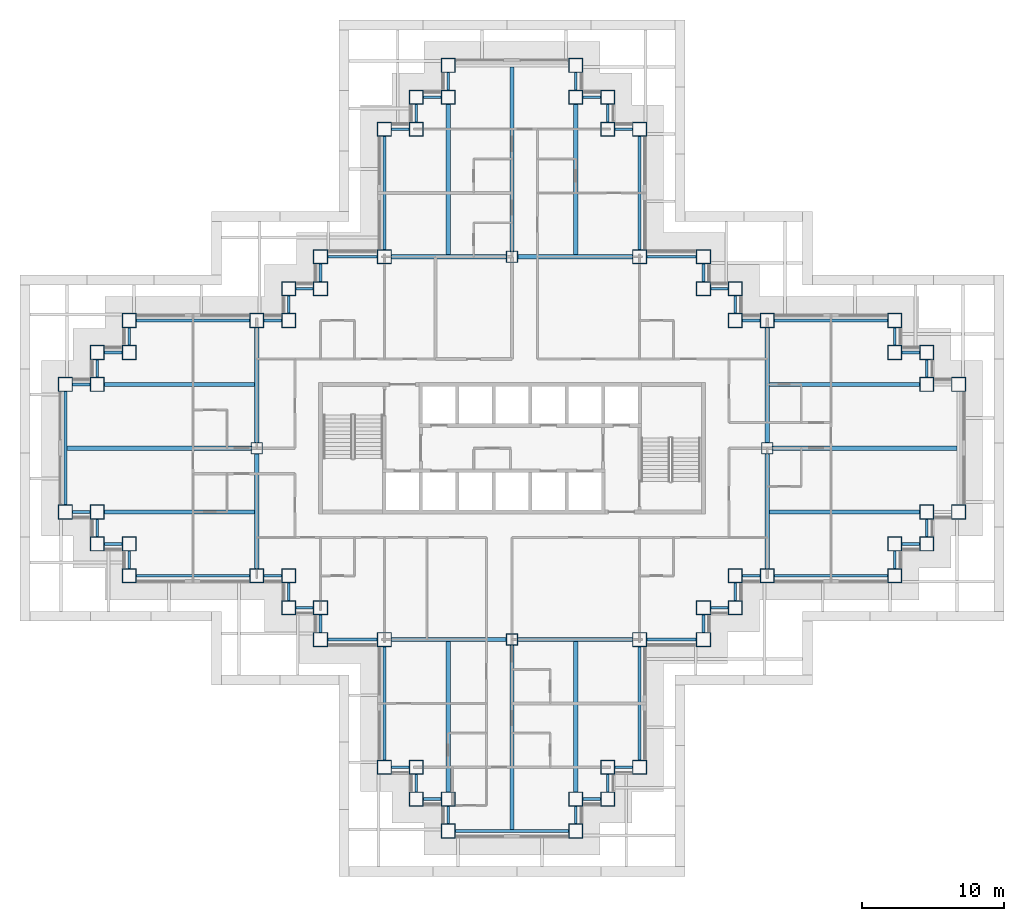
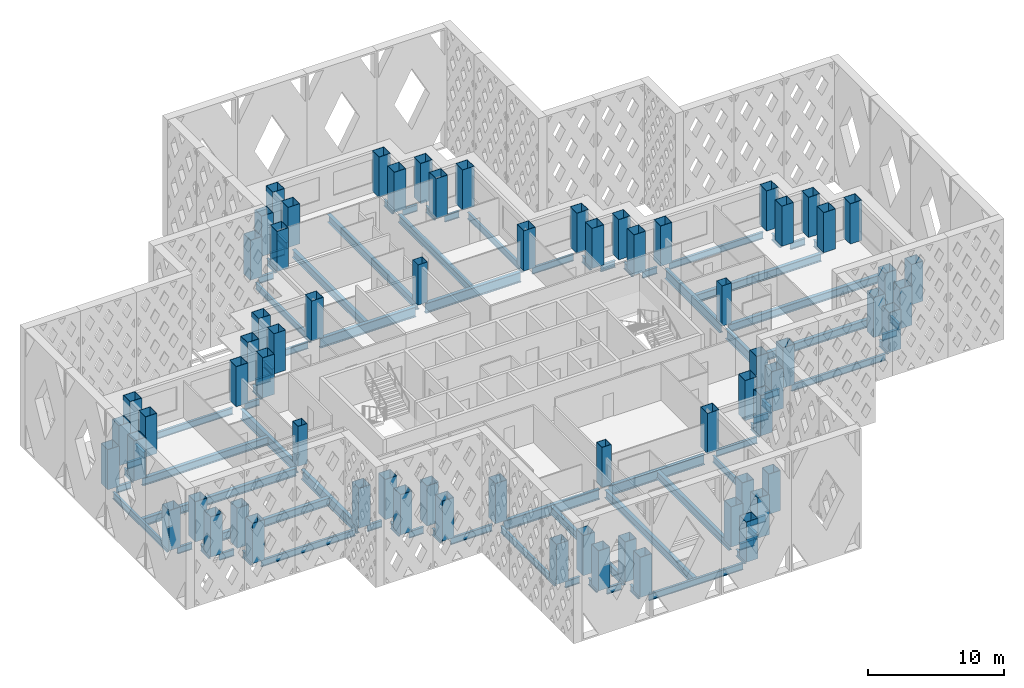
# One storey, part 1 of 19: 80 beams, 68 columns.
"""IFC4 building model written with IfcOpenShell, lengths in metres."""

from ifc_helpers import new_model, si_unit, direction, frame, origin, origin_2d, place, context, subcontext, project, spatial, hollow_rectangle, i_section, extrude, material, material_profile, profile_set, type_object, element, save


model = new_model("IFC4")

# Units and contexts
model_context = context("Model", 3, precision=1e-05, world=origin(), true_north=direction((0.0, 1.0)))
body_context = subcontext(model_context, "Body", "Model", "MODEL_VIEW")
ifc_project = project(units=[si_unit("LENGTHUNIT", "METRE"), si_unit("AREAUNIT", "SQUARE_METRE"), si_unit("VOLUMEUNIT", "CUBIC_METRE"), si_unit("PLANEANGLEUNIT", "RADIAN"), si_unit("MASSUNIT", "GRAM", prefix="KILO")], contexts=[model_context])

# Site, building, storey
site_placement = place(None, origin())
site = spatial("IfcSite", under=ifc_project, at=site_placement, CompositionType="ELEMENT")
building_placement = place(site_placement, origin())
building = spatial("IfcBuilding", under=site, at=building_placement, Name="Caravel Reach Hotel and Residences", CompositionType="ELEMENT")
storey_placement = place(building_placement, frame((0.0, 0.0, 63.60009765625)))
storey = spatial("IfcBuildingStorey", under=building, at=storey_placement, Name="L14", CompositionType="ELEMENT", Elevation=63.60009765625)

# Columns
ifc_material_1 = material(Name="Concrete-filled steel tube Q390B with Concrete C70 infill", Category="concrete")
ifc_material_profile_1 = material_profile(ifc_material_1, hollow_rectangle(XDim=1.0, YDim=1.0, WallThickness=0.031982421875, at=origin_2d()), Name="RHS 1000x1000x32")
ifc_profile_set_1 = profile_set([ifc_material_profile_1], Name="Concrete-filled steel tube Q390B with Concrete C70 infill")
column_type_1 = type_object("IfcColumnType", Name="CFT 1000x1000 Q390B C70", PredefinedType="COLUMN", material=ifc_profile_set_1)
for number, where, z_axis, x_axis, name in (
    (1, (22.5, 4.5, 0.0), (0.0, 0.0, 1.0), (1.0, 0.0, 0.0), "C2 column"),
    (2, (24.75, 4.5, 0.0), (0.0, 0.0, 1.0), (1.0, 0.0, 0.0), "C2 column"),
    (3, (24.75, 2.25, 0.0), (0.0, 0.0, 1.0), (1.0, 0.0, 0.0), "C2 column"),
    (4, (27.0, 2.25, 0.0), (0.0, 0.0, 1.0), (1.0, 0.0, 0.0), "C2 column"),
    (5, (27.0, 0.0, 0.0), (0.0, 0.0, 1.0), (1.0, 0.0, 0.0), "C2 column"),
    (6, (36.0, 0.0, 0.0), (0.0, 0.0, 1.0), (1.0, 0.0, 0.0), "C2 column"),
    (7, (36.0, 2.25, 0.0), (0.0, 0.0, 1.0), (1.0, 0.0, 0.0), "C2 column"),
    (8, (38.25, 2.25, 0.0), (0.0, 0.0, 1.0), (1.0, 0.0, 0.0), "C2 column"),
    (9, (38.25, 4.5, 0.0), (0.0, 0.0, 1.0), (1.0, 0.0, 0.0), "C2 column"),
    (10, (40.5, 4.5, 0.0), (0.0, 0.0, 1.0), (1.0, 0.0, 0.0), "C2 column"),
    (11, (40.5, 13.5, 0.0), (0.0, 0.0, 1.0), (1.0, 0.0, 0.0), "C2 column"),
    (12, (45.0, 13.5, 0.0), (0.0, 0.0, 1.0), (1.0, 0.0, 0.0), "C2 column"),
    (13, (45.0, 15.75, 0.0), (0.0, 0.0, 1.0), (1.0, 0.0, 0.0), "C2 column"),
    (14, (47.25, 15.75, 0.0), (0.0, 0.0, 1.0), (1.0, 0.0, 0.0), "C2 column"),
    (15, (47.25, 18.0, 0.0), (0.0, 0.0, 1.0), (1.0, 0.0, 0.0), "C2 column"),
    (16, (49.5, 18.0, 0.0), (0.0, 0.0, 1.0), (1.0, 0.0, 0.0), "C2 column"),
    (17, (58.5, 18.0, 0.0), (0.0, 0.0, 1.0), (1.0, 0.0, 0.0), "C2 column"),
    (18, (58.5, 20.25, 0.0), (0.0, 0.0, 1.0), (1.0, 0.0, 0.0), "C2 column"),
    (19, (60.75, 20.25, 0.0), (0.0, 0.0, 1.0), (1.0, 0.0, 0.0), "C2 column"),
    (20, (60.75, 22.5, 0.0), (0.0, 0.0, 1.0), (1.0, 0.0, 0.0), "C2 column"),
    (21, (63.0, 22.5, 0.0), (0.0, 0.0, 1.0), (1.0, 0.0, 0.0), "C2 column"),
    (22, (63.0, 31.5, 0.0), (0.0, 0.0, 1.0), (1.0, 0.0, 0.0), "C2 column"),
    (23, (60.75, 31.5, 0.0), (0.0, 0.0, 1.0), (1.0, 0.0, 0.0), "C2 column"),
    (24, (60.75, 33.75, 0.0), (0.0, 0.0, 1.0), (1.0, 0.0, 0.0), "C2 column"),
    (25, (58.5, 33.75, 0.0), (0.0, 0.0, 1.0), (1.0, 0.0, 0.0), "C2 column"),
    (26, (58.5, 36.0, 0.0), (0.0, 0.0, 1.0), (1.0, 0.0, 0.0), "C2 column"),
    (27, (49.5, 36.0, 0.0), (0.0, 0.0, 1.0), (1.0, 0.0, 0.0), "C2 column"),
    (28, (47.25, 36.0, 0.0), (0.0, 0.0, 1.0), (1.0, 0.0, 0.0), "C2 column"),
    (29, (47.25, 38.25, 0.0), (0.0, 0.0, 1.0), (1.0, 0.0, 0.0), "C2 column"),
    (30, (45.0, 38.25, 0.0), (0.0, 0.0, 1.0), (1.0, 0.0, 0.0), "C2 column"),
    (31, (45.0, 40.5, 0.0), (0.0, 0.0, 1.0), (1.0, 0.0, 0.0), "C2 column"),
    (32, (40.5, 40.5, 0.0), (0.0, 0.0, 1.0), (1.0, 0.0, 0.0), "C2 column"),
    (33, (40.5, 49.5, 0.0), (0.0, 0.0, 1.0), (1.0, 0.0, 0.0), "C2 column"),
    (34, (38.25, 49.5, 0.0), (0.0, 0.0, 1.0), (1.0, 0.0, 0.0), "C2 column"),
    (35, (38.25, 51.75, 0.0), (0.0, 0.0, 1.0), (1.0, 0.0, 0.0), "C2 column"),
    (36, (36.0, 51.75, 0.0), (0.0, 0.0, 1.0), (1.0, 0.0, 0.0), "C2 column"),
    (37, (36.0, 54.0, 0.0), (0.0, 0.0, 1.0), (1.0, 0.0, 0.0), "C2 column"),
    (38, (27.0, 54.0, 0.0), (0.0, 0.0, 1.0), (1.0, 0.0, 0.0), "C2 column"),
    (39, (27.0, 51.75, 0.0), (0.0, 0.0, 1.0), (1.0, 0.0, 0.0), "C2 column"),
    (40, (24.75, 51.75, 0.0), (0.0, 0.0, 1.0), (1.0, 0.0, 0.0), "C2 column"),
    (41, (24.75, 49.5, 0.0), (0.0, 0.0, 1.0), (1.0, 0.0, 0.0), "C2 column"),
    (42, (22.5, 49.5, 0.0), (0.0, 0.0, 1.0), (1.0, 0.0, 0.0), "C2 column"),
    (43, (22.5, 40.5, 0.0), (0.0, 0.0, 1.0), (1.0, 0.0, 0.0), "C2 column"),
    (44, (18.0, 40.5, 0.0), (0.0, 0.0, 1.0), (1.0, 0.0, 0.0), "C2 column"),
    (45, (18.0, 38.25, 0.0), (0.0, 0.0, 1.0), (1.0, 0.0, 0.0), "C2 column"),
    (46, (15.75, 38.25, 0.0), (0.0, 0.0, 1.0), (1.0, 0.0, 0.0), "C2 column"),
    (47, (15.75, 36.0, 0.0), (0.0, 0.0, 1.0), (1.0, 0.0, 0.0), "C2 column"),
    (48, (13.5, 36.0, 0.0), (0.0, 0.0, 1.0), (1.0, 0.0, 0.0), "C2 column"),
    (49, (4.5, 36.0, 0.0), (0.0, 0.0, 1.0), (1.0, 0.0, 0.0), "C2 column"),
    (50, (4.5, 33.75, 0.0), (0.0, 0.0, 1.0), (1.0, 0.0, 0.0), "C2 column"),
    (51, (2.25, 33.75, 0.0), (0.0, 0.0, 1.0), (1.0, 0.0, 0.0), "C2 column"),
    (52, (2.25, 31.5, 0.0), (0.0, 0.0, 1.0), (1.0, 0.0, 0.0), "C2 column"),
    (53, (0.0, 31.5, 0.0), (0.0, 0.0, 1.0), (1.0, 0.0, 0.0), "C2 column"),
    (54, (0.0, 22.5, 0.0), (0.0, 0.0, 1.0), (1.0, 0.0, 0.0), "C2 column"),
    (55, (2.25, 22.5, 0.0), (0.0, 0.0, 1.0), (1.0, 0.0, 0.0), "C2 column"),
    (56, (2.25, 20.25, 0.0), (0.0, 0.0, 1.0), (1.0, 0.0, 0.0), "C2 column"),
    (57, (4.5, 20.25, 0.0), (0.0, 0.0, 1.0), (1.0, 0.0, 0.0), "C2 column"),
    (58, (4.5, 18.0, 0.0), (0.0, 0.0, 1.0), (1.0, 0.0, 0.0), "C2 column"),
    (59, (13.5, 18.0, 0.0), (0.0, 0.0, 1.0), (1.0, 0.0, 0.0), "C2 column"),
    (60, (15.75, 18.0, 0.0), (0.0, 0.0, 1.0), (1.0, 0.0, 0.0), "C2 column"),
    (61, (15.75, 15.75, 0.0), (0.0, 0.0, 1.0), (1.0, 0.0, 0.0), "C2 column"),
    (62, (18.0, 15.75, 0.0), (0.0, 0.0, 1.0), (1.0, 0.0, 0.0), "C2 column"),
    (63, (18.0, 13.5, 0.0), (0.0, 0.0, 1.0), (1.0, 0.0, 0.0), "C2 column"),
    (64, (22.5, 13.5, 0.0), (0.0, 0.0, 1.0), (1.0, 0.0, 0.0), "C2 column"),
):
    element("IfcColumn", number, at=place(storey_placement, frame(where, z_axis=z_axis, x_axis=x_axis)), inside=storey, type_object=column_type_1, Name=name, PredefinedType="COLUMN", context=body_context, shape_type="SweptSolid", body=[
        extrude(hollow_rectangle(XDim=1.0, YDim=1.0, WallThickness=0.031982421875, at=origin_2d()), origin(), (0.0, 0.0, 1.0), 3.599853515625),
    ])
ifc_material_2 = material(Name="Concrete-filled steel tube Q390B with Concrete C70 infill", Category="concrete")
ifc_material_profile_2 = material_profile(ifc_material_2, hollow_rectangle(XDim=0.800048828125, YDim=0.800048828125, WallThickness=0.02490234375, at=origin_2d()), Name="RHS 800x800x25")
ifc_profile_set_2 = profile_set([ifc_material_profile_2], Name="Concrete-filled steel tube Q390B with Concrete C70 infill")
column_type_2 = type_object("IfcColumnType", Name="CFT 800x800 Q390B C70", PredefinedType="COLUMN", material=ifc_profile_set_2)
for number, where, z_axis, x_axis, name in (
    (65, (31.5, 40.5, 0.0), (0.0, 0.0, 1.0), (1.0, 0.0, 0.0), "C4 column"),
    (66, (31.5, 13.5, 0.0), (0.0, 0.0, 1.0), (1.0, 0.0, 0.0), "C4 column"),
    (67, (13.5, 27.0, 0.0), (0.0, 0.0, 1.0), (1.0, 0.0, 0.0), "C4 column"),
    (68, (49.5, 27.0, 0.0), (0.0, 0.0, 1.0), (1.0, 0.0, 0.0), "C4 column"),
):
    element("IfcColumn", number, at=place(storey_placement, frame(where, z_axis=z_axis, x_axis=x_axis)), inside=storey, type_object=column_type_2, Name=name, PredefinedType="COLUMN", context=body_context, shape_type="SweptSolid", body=[
        extrude(hollow_rectangle(XDim=0.800048828125, YDim=0.800048828125, WallThickness=0.02490234375, at=origin_2d()), origin(), (0.0, 0.0, 1.0), 3.599853515625),
    ])

# Beams
ifc_material_3 = material(Name="Structural steel Q355B", Category="steel")
ifc_material_profile_3 = material_profile(ifc_material_3, i_section(OverallWidth=0.300048828125, OverallDepth=0.699951171875, WebThickness=0.012939453125, FlangeThickness=0.02392578125, FilletRadius=0.01806640625, at=origin_2d()), Name="HN 700x300x13x24")
ifc_profile_set_3 = profile_set([ifc_material_profile_3], Name="Structural steel Q355B")
beam_type_1 = type_object("IfcBeamType", Name="Beam HN 700x300x13x24", PredefinedType="BEAM", material=ifc_profile_set_3)
beam_1_placement = place(storey_placement, frame((27.0, 40.60009765625, -0.650146484375), z_axis=(0.0, 1.0, 0.0), x_axis=(-1.0, 0.0, 0.0)))
element("IfcBeam", 69, at=beam_1_placement, inside=storey, type_object=beam_type_1, Name="B2 HN 700x300x13x24", PredefinedType="BEAM", context=body_context, shape_type="SweptSolid", body=[
    extrude(i_section(OverallWidth=0.300048828125, OverallDepth=0.699951171875, WebThickness=0.012939453125, FlangeThickness=0.02392578125, FilletRadius=0.01806640625, at=origin_2d()), origin(), (0.0, 0.0, 1.0), 10.699951171875),
])
beam_2_placement = place(storey_placement, frame((31.5, 40.85009765625, -0.650146484375), z_axis=(0.0, 1.0, 0.0), x_axis=(-1.0, 0.0, 0.0)))
element("IfcBeam", 70, at=beam_2_placement, inside=storey, type_object=beam_type_1, Name="B2 HN 700x300x13x24", PredefinedType="BEAM", context=body_context, shape_type="SweptSolid", body=[
    extrude(i_section(OverallWidth=0.300048828125, OverallDepth=0.699951171875, WebThickness=0.012939453125, FlangeThickness=0.02392578125, FilletRadius=0.01806640625, at=origin_2d()), origin(), (0.0, 0.0, 1.0), 13.0498046875),
])
for number, where, z_axis, x_axis, name in (
    (71, (36.0, 40.60009765625, -0.650146484375), (0.0, 1.0, 0.0), (-1.0, 0.0, 0.0), "B2 HN 700x300x13x24"),
    (72, (27.0, 13.39990234375, -0.650146484375), (0.0, -1.0, 0.0), (1.0, 0.0, 0.0), "B2 HN 700x300x13x24"),
):
    element("IfcBeam", number, at=place(storey_placement, frame(where, z_axis=z_axis, x_axis=x_axis)), inside=storey, type_object=beam_type_1, Name=name, PredefinedType="BEAM", context=body_context, shape_type="SweptSolid", body=[
        extrude(i_section(OverallWidth=0.300048828125, OverallDepth=0.699951171875, WebThickness=0.012939453125, FlangeThickness=0.02392578125, FilletRadius=0.01806640625, at=origin_2d()), origin(), (0.0, 0.0, 1.0), 10.699951171875),
    ])
beam_3_placement = place(storey_placement, frame((31.5, 13.14990234375, -0.650146484375), z_axis=(0.0, -1.0, 0.0), x_axis=(1.0, 0.0, 0.0)))
element("IfcBeam", 73, at=beam_3_placement, inside=storey, type_object=beam_type_1, Name="B2 HN 700x300x13x24", PredefinedType="BEAM", context=body_context, shape_type="SweptSolid", body=[
    extrude(i_section(OverallWidth=0.300048828125, OverallDepth=0.699951171875, WebThickness=0.012939453125, FlangeThickness=0.02392578125, FilletRadius=0.01806640625, at=origin_2d()), origin(), (0.0, 0.0, 1.0), 13.0498046875),
])
for number, where, z_axis, x_axis, name in (
    (74, (36.0, 13.39990234375, -0.650146484375), (0.0, -1.0, 0.0), (1.0, 0.0, 0.0), "B2 HN 700x300x13x24"),
    (75, (49.60009765625, 22.5, -0.650146484375), (1.0, 0.0, 0.0), (0.0, 1.0, 0.0), "B2 HN 700x300x13x24"),
):
    element("IfcBeam", number, at=place(storey_placement, frame(where, z_axis=z_axis, x_axis=x_axis)), inside=storey, type_object=beam_type_1, Name=name, PredefinedType="BEAM", context=body_context, shape_type="SweptSolid", body=[
        extrude(i_section(OverallWidth=0.300048828125, OverallDepth=0.699951171875, WebThickness=0.012939453125, FlangeThickness=0.02392578125, FilletRadius=0.01806640625, at=origin_2d()), origin(), (0.0, 0.0, 1.0), 10.699951171875),
    ])
beam_4_placement = place(storey_placement, frame((49.85009765625, 27.0, -0.650146484375), z_axis=(1.0, 0.0, 0.0), x_axis=(0.0, 1.0, 0.0)))
element("IfcBeam", 76, at=beam_4_placement, inside=storey, type_object=beam_type_1, Name="B2 HN 700x300x13x24", PredefinedType="BEAM", context=body_context, shape_type="SweptSolid", body=[
    extrude(i_section(OverallWidth=0.300048828125, OverallDepth=0.699951171875, WebThickness=0.012939453125, FlangeThickness=0.02392578125, FilletRadius=0.01806640625, at=origin_2d()), origin(), (0.0, 0.0, 1.0), 13.0498046875),
])
for number, where, z_axis, x_axis, name in (
    (77, (49.60009765625, 31.5, -0.650146484375), (1.0, 0.0, 0.0), (0.0, 1.0, 0.0), "B2 HN 700x300x13x24"),
    (78, (13.39990234375, 22.5, -0.650146484375), (-1.0, 0.0, 0.0), (0.0, -1.0, 0.0), "B2 HN 700x300x13x24"),
):
    element("IfcBeam", number, at=place(storey_placement, frame(where, z_axis=z_axis, x_axis=x_axis)), inside=storey, type_object=beam_type_1, Name=name, PredefinedType="BEAM", context=body_context, shape_type="SweptSolid", body=[
        extrude(i_section(OverallWidth=0.300048828125, OverallDepth=0.699951171875, WebThickness=0.012939453125, FlangeThickness=0.02392578125, FilletRadius=0.01806640625, at=origin_2d()), origin(), (0.0, 0.0, 1.0), 10.699951171875),
    ])
beam_5_placement = place(storey_placement, frame((13.14990234375, 27.0, -0.650146484375), z_axis=(-1.0, 0.0, 0.0), x_axis=(0.0, -1.0, 0.0)))
element("IfcBeam", 79, at=beam_5_placement, inside=storey, type_object=beam_type_1, Name="B2 HN 700x300x13x24", PredefinedType="BEAM", context=body_context, shape_type="SweptSolid", body=[
    extrude(i_section(OverallWidth=0.300048828125, OverallDepth=0.699951171875, WebThickness=0.012939453125, FlangeThickness=0.02392578125, FilletRadius=0.01806640625, at=origin_2d()), origin(), (0.0, 0.0, 1.0), 13.0498046875),
])
beam_6_placement = place(storey_placement, frame((13.39990234375, 31.5, -0.650146484375), z_axis=(-1.0, 0.0, 0.0), x_axis=(0.0, -1.0, 0.0)))
element("IfcBeam", 80, at=beam_6_placement, inside=storey, type_object=beam_type_1, Name="B2 HN 700x300x13x24", PredefinedType="BEAM", context=body_context, shape_type="SweptSolid", body=[
    extrude(i_section(OverallWidth=0.300048828125, OverallDepth=0.699951171875, WebThickness=0.012939453125, FlangeThickness=0.02392578125, FilletRadius=0.01806640625, at=origin_2d()), origin(), (0.0, 0.0, 1.0), 10.699951171875),
])
ifc_material_4 = material(Name="Structural steel Q355B", Category="steel")
ifc_material_profile_4 = material_profile(ifc_material_4, i_section(OverallWidth=0.300048828125, OverallDepth=0.89990234375, WebThickness=0.01611328125, FlangeThickness=0.028076171875, FilletRadius=0.01806640625, at=origin_2d()), Name="HN 900x300x16x28")
ifc_profile_set_4 = profile_set([ifc_material_profile_4], Name="Structural steel Q355B")
beam_type_2 = type_object("IfcBeamType", Name="Beam HN 900x300x16x28", PredefinedType="BEAM", material=ifc_profile_set_4)
for number, where, z_axis, x_axis, name in (
    (81, (23.0, 40.5, -0.75), (1.0, 0.0, 0.0), (0.0, 1.0, 0.0), "B3 HN 900x300x16x28"),
    (82, (31.89990234375, 40.5, -0.75), (1.0, 0.0, 0.0), (0.0, 1.0, 0.0), "B3 HN 900x300x16x28"),
    (83, (23.0, 13.5, -0.75), (1.0, 0.0, 0.0), (0.0, 1.0, 0.0), "B3 HN 900x300x16x28"),
    (84, (31.89990234375, 13.5, -0.75), (1.0, 0.0, 0.0), (0.0, 1.0, 0.0), "B3 HN 900x300x16x28"),
    (85, (13.5, 18.5, -0.75), (0.0, 1.0, 0.0), (-1.0, 0.0, 0.0), "B3 HN 900x300x16x28"),
    (86, (13.5, 27.39990234375, -0.75), (0.0, 1.0, 0.0), (-1.0, 0.0, 0.0), "B3 HN 900x300x16x28"),
    (87, (49.5, 18.5, -0.75), (0.0, 1.0, 0.0), (-1.0, 0.0, 0.0), "B3 HN 900x300x16x28"),
    (88, (49.5, 27.39990234375, -0.75), (0.0, 1.0, 0.0), (-1.0, 0.0, 0.0), "B3 HN 900x300x16x28"),
):
    element("IfcBeam", number, at=place(storey_placement, frame(where, z_axis=z_axis, x_axis=x_axis)), inside=storey, type_object=beam_type_2, Name=name, PredefinedType="BEAM", context=body_context, shape_type="SweptSolid", body=[
        extrude(i_section(OverallWidth=0.300048828125, OverallDepth=0.89990234375, WebThickness=0.01611328125, FlangeThickness=0.028076171875, FilletRadius=0.01806640625, at=origin_2d()), origin(), (0.0, 0.0, 1.0), 8.10009765625),
    ])
ifc_material_5 = material(Name="Structural steel Q355B", Category="steel")
ifc_material_profile_5 = material_profile(ifc_material_5, i_section(OverallWidth=0.199951171875, OverallDepth=0.60009765625, WebThickness=0.010986328125, FlangeThickness=0.01708984375, FilletRadius=0.012939453125, at=origin_2d()), Name="HN 600x200x11x17")
ifc_profile_set_5 = profile_set([ifc_material_profile_5], Name="Structural steel Q355B")
beam_type_3 = type_object("IfcBeamType", Name="Spandrel beam HN 600x200x11x17", PredefinedType="SPANDREL", material=ifc_profile_set_5)
for number, where, z_axis, x_axis, name in (
    (89, (23.0, 4.5, -0.60009765625), (1.0, 0.0, 0.0), (0.0, 1.0, 0.0), "SP1 HN 600x200x11x17"),
    (90, (24.75, 4.0, -0.60009765625), (0.0, -1.0, 0.0), (1.0, 0.0, 0.0), "SP1 HN 600x200x11x17"),
    (91, (25.25, 2.25, -0.60009765625), (1.0, 0.0, 0.0), (0.0, 1.0, 0.0), "SP1 HN 600x200x11x17"),
    (92, (27.0, 1.75, -0.60009765625), (0.0, -1.0, 0.0), (1.0, 0.0, 0.0), "SP1 HN 600x200x11x17"),
):
    element("IfcBeam", number, at=place(storey_placement, frame(where, z_axis=z_axis, x_axis=x_axis)), inside=storey, type_object=beam_type_3, Name=name, PredefinedType="SPANDREL", context=body_context, shape_type="SweptSolid", body=[
        extrude(i_section(OverallWidth=0.199951171875, OverallDepth=0.60009765625, WebThickness=0.010986328125, FlangeThickness=0.01708984375, FilletRadius=0.012939453125, at=origin_2d()), origin(), (0.0, 0.0, 1.0), 1.25),
    ])
beam_7_placement = place(storey_placement, frame((27.5, 0.0, -0.60009765625), z_axis=(1.0, 0.0, 0.0), x_axis=(0.0, 1.0, 0.0)))
element("IfcBeam", 93, at=beam_7_placement, inside=storey, type_object=beam_type_3, Name="SP1 HN 600x200x11x17", PredefinedType="SPANDREL", context=body_context, shape_type="SweptSolid", body=[
    extrude(i_section(OverallWidth=0.199951171875, OverallDepth=0.60009765625, WebThickness=0.010986328125, FlangeThickness=0.01708984375, FilletRadius=0.012939453125, at=origin_2d()), origin(), (0.0, 0.0, 1.0), 8.0),
])
for number, where, z_axis, x_axis, name in (
    (94, (36.0, 0.5, -0.60009765625), (0.0, 1.0, 0.0), (-1.0, 0.0, 0.0), "SP1 HN 600x200x11x17"),
    (95, (36.5, 2.25, -0.60009765625), (1.0, 0.0, 0.0), (0.0, 1.0, 0.0), "SP1 HN 600x200x11x17"),
    (96, (38.25, 2.75, -0.60009765625), (0.0, 1.0, 0.0), (-1.0, 0.0, 0.0), "SP1 HN 600x200x11x17"),
    (97, (38.75, 4.5, -0.60009765625), (1.0, 0.0, 0.0), (0.0, 1.0, 0.0), "SP1 HN 600x200x11x17"),
):
    element("IfcBeam", number, at=place(storey_placement, frame(where, z_axis=z_axis, x_axis=x_axis)), inside=storey, type_object=beam_type_3, Name=name, PredefinedType="SPANDREL", context=body_context, shape_type="SweptSolid", body=[
        extrude(i_section(OverallWidth=0.199951171875, OverallDepth=0.60009765625, WebThickness=0.010986328125, FlangeThickness=0.01708984375, FilletRadius=0.012939453125, at=origin_2d()), origin(), (0.0, 0.0, 1.0), 1.25),
    ])
beam_8_placement = place(storey_placement, frame((40.5, 5.0, -0.60009765625), z_axis=(0.0, 1.0, 0.0), x_axis=(-1.0, 0.0, 0.0)))
element("IfcBeam", 98, at=beam_8_placement, inside=storey, type_object=beam_type_3, Name="SP1 HN 600x200x11x17", PredefinedType="SPANDREL", context=body_context, shape_type="SweptSolid", body=[
    extrude(i_section(OverallWidth=0.199951171875, OverallDepth=0.60009765625, WebThickness=0.010986328125, FlangeThickness=0.01708984375, FilletRadius=0.012939453125, at=origin_2d()), origin(), (0.0, 0.0, 1.0), 8.0),
])
beam_9_placement = place(storey_placement, frame((41.0, 13.5, -0.60009765625), z_axis=(1.0, 0.0, 0.0), x_axis=(0.0, 1.0, 0.0)))
element("IfcBeam", 99, at=beam_9_placement, inside=storey, type_object=beam_type_3, Name="SP1 HN 600x200x11x17", PredefinedType="SPANDREL", context=body_context, shape_type="SweptSolid", body=[
    extrude(i_section(OverallWidth=0.199951171875, OverallDepth=0.60009765625, WebThickness=0.010986328125, FlangeThickness=0.01708984375, FilletRadius=0.012939453125, at=origin_2d()), origin(), (0.0, 0.0, 1.0), 3.5),
])
for number, where, z_axis, x_axis, name in (
    (100, (45.0, 14.0, -0.60009765625), (0.0, 1.0, 0.0), (-1.0, 0.0, 0.0), "SP1 HN 600x200x11x17"),
    (101, (45.5, 15.75, -0.60009765625), (1.0, 0.0, 0.0), (0.0, 1.0, 0.0), "SP1 HN 600x200x11x17"),
    (102, (47.25, 16.25, -0.60009765625), (0.0, 1.0, 0.0), (-1.0, 0.0, 0.0), "SP1 HN 600x200x11x17"),
    (103, (47.75, 18.0, -0.60009765625), (1.0, 0.0, 0.0), (0.0, 1.0, 0.0), "SP1 HN 600x200x11x17"),
):
    element("IfcBeam", number, at=place(storey_placement, frame(where, z_axis=z_axis, x_axis=x_axis)), inside=storey, type_object=beam_type_3, Name=name, PredefinedType="SPANDREL", context=body_context, shape_type="SweptSolid", body=[
        extrude(i_section(OverallWidth=0.199951171875, OverallDepth=0.60009765625, WebThickness=0.010986328125, FlangeThickness=0.01708984375, FilletRadius=0.012939453125, at=origin_2d()), origin(), (0.0, 0.0, 1.0), 1.25),
    ])
beam_10_placement = place(storey_placement, frame((50.0, 18.0, -0.60009765625), z_axis=(1.0, 0.0, 0.0), x_axis=(0.0, 1.0, 0.0)))
element("IfcBeam", 104, at=beam_10_placement, inside=storey, type_object=beam_type_3, Name="SP1 HN 600x200x11x17", PredefinedType="SPANDREL", context=body_context, shape_type="SweptSolid", body=[
    extrude(i_section(OverallWidth=0.199951171875, OverallDepth=0.60009765625, WebThickness=0.010986328125, FlangeThickness=0.01708984375, FilletRadius=0.012939453125, at=origin_2d()), origin(), (0.0, 0.0, 1.0), 8.0),
])
for number, where, z_axis, x_axis, name in (
    (105, (58.5, 18.5, -0.60009765625), (0.0, 1.0, 0.0), (-1.0, 0.0, 0.0), "SP1 HN 600x200x11x17"),
    (106, (59.0, 20.25, -0.60009765625), (1.0, 0.0, 0.0), (0.0, 1.0, 0.0), "SP1 HN 600x200x11x17"),
    (107, (60.75, 20.75, -0.60009765625), (0.0, 1.0, 0.0), (-1.0, 0.0, 0.0), "SP1 HN 600x200x11x17"),
    (108, (60.75, 32.0, -0.60009765625), (0.0, 1.0, 0.0), (-1.0, 0.0, 0.0), "SP1 HN 600x200x11x17"),
    (109, (60.25, 33.75, -0.60009765625), (-1.0, 0.0, 0.0), (0.0, -1.0, 0.0), "SP1 HN 600x200x11x17"),
    (110, (58.5, 34.25, -0.60009765625), (0.0, 1.0, 0.0), (-1.0, 0.0, 0.0), "SP1 HN 600x200x11x17"),
):
    element("IfcBeam", number, at=place(storey_placement, frame(where, z_axis=z_axis, x_axis=x_axis)), inside=storey, type_object=beam_type_3, Name=name, PredefinedType="SPANDREL", context=body_context, shape_type="SweptSolid", body=[
        extrude(i_section(OverallWidth=0.199951171875, OverallDepth=0.60009765625, WebThickness=0.010986328125, FlangeThickness=0.01708984375, FilletRadius=0.012939453125, at=origin_2d()), origin(), (0.0, 0.0, 1.0), 1.25),
    ])
beam_11_placement = place(storey_placement, frame((58.0, 36.0, -0.60009765625), z_axis=(-1.0, 0.0, 0.0), x_axis=(0.0, -1.0, 0.0)))
element("IfcBeam", 111, at=beam_11_placement, inside=storey, type_object=beam_type_3, Name="SP1 HN 600x200x11x17", PredefinedType="SPANDREL", context=body_context, shape_type="SweptSolid", body=[
    extrude(i_section(OverallWidth=0.199951171875, OverallDepth=0.60009765625, WebThickness=0.010986328125, FlangeThickness=0.01708984375, FilletRadius=0.012939453125, at=origin_2d()), origin(), (0.0, 0.0, 1.0), 8.0),
])
for number, where, z_axis, x_axis, name in (
    (112, (49.0, 36.0, -0.60009765625), (-1.0, 0.0, 0.0), (0.0, -1.0, 0.0), "SP1 HN 600x200x11x17"),
    (113, (47.25, 36.5, -0.60009765625), (0.0, 1.0, 0.0), (-1.0, 0.0, 0.0), "SP1 HN 600x200x11x17"),
    (114, (46.75, 38.25, -0.60009765625), (-1.0, 0.0, 0.0), (0.0, -1.0, 0.0), "SP1 HN 600x200x11x17"),
    (115, (45.0, 38.75, -0.60009765625), (0.0, 1.0, 0.0), (-1.0, 0.0, 0.0), "SP1 HN 600x200x11x17"),
):
    element("IfcBeam", number, at=place(storey_placement, frame(where, z_axis=z_axis, x_axis=x_axis)), inside=storey, type_object=beam_type_3, Name=name, PredefinedType="SPANDREL", context=body_context, shape_type="SweptSolid", body=[
        extrude(i_section(OverallWidth=0.199951171875, OverallDepth=0.60009765625, WebThickness=0.010986328125, FlangeThickness=0.01708984375, FilletRadius=0.012939453125, at=origin_2d()), origin(), (0.0, 0.0, 1.0), 1.25),
    ])
beam_12_placement = place(storey_placement, frame((44.5, 40.5, -0.60009765625), z_axis=(-1.0, 0.0, 0.0), x_axis=(0.0, -1.0, 0.0)))
element("IfcBeam", 116, at=beam_12_placement, inside=storey, type_object=beam_type_3, Name="SP1 HN 600x200x11x17", PredefinedType="SPANDREL", context=body_context, shape_type="SweptSolid", body=[
    extrude(i_section(OverallWidth=0.199951171875, OverallDepth=0.60009765625, WebThickness=0.010986328125, FlangeThickness=0.01708984375, FilletRadius=0.012939453125, at=origin_2d()), origin(), (0.0, 0.0, 1.0), 3.5),
])
beam_13_placement = place(storey_placement, frame((40.5, 41.0, -0.60009765625), z_axis=(0.0, 1.0, 0.0), x_axis=(-1.0, 0.0, 0.0)))
element("IfcBeam", 117, at=beam_13_placement, inside=storey, type_object=beam_type_3, Name="SP1 HN 600x200x11x17", PredefinedType="SPANDREL", context=body_context, shape_type="SweptSolid", body=[
    extrude(i_section(OverallWidth=0.199951171875, OverallDepth=0.60009765625, WebThickness=0.010986328125, FlangeThickness=0.01708984375, FilletRadius=0.012939453125, at=origin_2d()), origin(), (0.0, 0.0, 1.0), 8.0),
])
for number, where, z_axis, x_axis, name in (
    (118, (40.0, 49.5, -0.60009765625), (-1.0, 0.0, 0.0), (0.0, -1.0, 0.0), "SP1 HN 600x200x11x17"),
    (119, (38.25, 50.0, -0.60009765625), (0.0, 1.0, 0.0), (-1.0, 0.0, 0.0), "SP1 HN 600x200x11x17"),
    (120, (37.75, 51.75, -0.60009765625), (-1.0, 0.0, 0.0), (0.0, -1.0, 0.0), "SP1 HN 600x200x11x17"),
    (121, (36.0, 52.25, -0.60009765625), (0.0, 1.0, 0.0), (-1.0, 0.0, 0.0), "SP1 HN 600x200x11x17"),
    (122, (27.0, 53.5, -0.60009765625), (0.0, -1.0, 0.0), (1.0, 0.0, 0.0), "SP1 HN 600x200x11x17"),
    (123, (26.5, 51.75, -0.60009765625), (-1.0, 0.0, 0.0), (0.0, -1.0, 0.0), "SP1 HN 600x200x11x17"),
    (124, (24.75, 51.25, -0.60009765625), (0.0, -1.0, 0.0), (1.0, 0.0, 0.0), "SP1 HN 600x200x11x17"),
    (125, (24.25, 49.5, -0.60009765625), (-1.0, 0.0, 0.0), (0.0, -1.0, 0.0), "SP1 HN 600x200x11x17"),
):
    element("IfcBeam", number, at=place(storey_placement, frame(where, z_axis=z_axis, x_axis=x_axis)), inside=storey, type_object=beam_type_3, Name=name, PredefinedType="SPANDREL", context=body_context, shape_type="SweptSolid", body=[
        extrude(i_section(OverallWidth=0.199951171875, OverallDepth=0.60009765625, WebThickness=0.010986328125, FlangeThickness=0.01708984375, FilletRadius=0.012939453125, at=origin_2d()), origin(), (0.0, 0.0, 1.0), 1.25),
    ])
beam_14_placement = place(storey_placement, frame((22.5, 49.0, -0.60009765625), z_axis=(0.0, -1.0, 0.0), x_axis=(1.0, 0.0, 0.0)))
element("IfcBeam", 126, at=beam_14_placement, inside=storey, type_object=beam_type_3, Name="SP1 HN 600x200x11x17", PredefinedType="SPANDREL", context=body_context, shape_type="SweptSolid", body=[
    extrude(i_section(OverallWidth=0.199951171875, OverallDepth=0.60009765625, WebThickness=0.010986328125, FlangeThickness=0.01708984375, FilletRadius=0.012939453125, at=origin_2d()), origin(), (0.0, 0.0, 1.0), 8.0),
])
beam_15_placement = place(storey_placement, frame((22.0, 40.5, -0.60009765625), z_axis=(-1.0, 0.0, 0.0), x_axis=(0.0, -1.0, 0.0)))
element("IfcBeam", 127, at=beam_15_placement, inside=storey, type_object=beam_type_3, Name="SP1 HN 600x200x11x17", PredefinedType="SPANDREL", context=body_context, shape_type="SweptSolid", body=[
    extrude(i_section(OverallWidth=0.199951171875, OverallDepth=0.60009765625, WebThickness=0.010986328125, FlangeThickness=0.01708984375, FilletRadius=0.012939453125, at=origin_2d()), origin(), (0.0, 0.0, 1.0), 3.5),
])
for number, where, z_axis, x_axis, name in (
    (128, (18.0, 40.0, -0.60009765625), (0.0, -1.0, 0.0), (1.0, 0.0, 0.0), "SP1 HN 600x200x11x17"),
    (129, (17.5, 38.25, -0.60009765625), (-1.0, 0.0, 0.0), (0.0, -1.0, 0.0), "SP1 HN 600x200x11x17"),
    (130, (15.75, 37.75, -0.60009765625), (0.0, -1.0, 0.0), (1.0, 0.0, 0.0), "SP1 HN 600x200x11x17"),
    (131, (15.25, 36.0, -0.60009765625), (-1.0, 0.0, 0.0), (0.0, -1.0, 0.0), "SP1 HN 600x200x11x17"),
):
    element("IfcBeam", number, at=place(storey_placement, frame(where, z_axis=z_axis, x_axis=x_axis)), inside=storey, type_object=beam_type_3, Name=name, PredefinedType="SPANDREL", context=body_context, shape_type="SweptSolid", body=[
        extrude(i_section(OverallWidth=0.199951171875, OverallDepth=0.60009765625, WebThickness=0.010986328125, FlangeThickness=0.01708984375, FilletRadius=0.012939453125, at=origin_2d()), origin(), (0.0, 0.0, 1.0), 1.25),
    ])
beam_16_placement = place(storey_placement, frame((13.0, 36.0, -0.60009765625), z_axis=(-1.0, 0.0, 0.0), x_axis=(0.0, -1.0, 0.0)))
element("IfcBeam", 132, at=beam_16_placement, inside=storey, type_object=beam_type_3, Name="SP1 HN 600x200x11x17", PredefinedType="SPANDREL", context=body_context, shape_type="SweptSolid", body=[
    extrude(i_section(OverallWidth=0.199951171875, OverallDepth=0.60009765625, WebThickness=0.010986328125, FlangeThickness=0.01708984375, FilletRadius=0.012939453125, at=origin_2d()), origin(), (0.0, 0.0, 1.0), 8.0),
])
for number, where, z_axis, x_axis, name in (
    (133, (4.5, 35.5, -0.60009765625), (0.0, -1.0, 0.0), (1.0, 0.0, 0.0), "SP1 HN 600x200x11x17"),
    (134, (4.0, 33.75, -0.60009765625), (-1.0, 0.0, 0.0), (0.0, -1.0, 0.0), "SP1 HN 600x200x11x17"),
    (135, (2.25, 33.25, -0.60009765625), (0.0, -1.0, 0.0), (1.0, 0.0, 0.0), "SP1 HN 600x200x11x17"),
    (136, (1.75, 31.5, -0.60009765625), (-1.0, 0.0, 0.0), (0.0, -1.0, 0.0), "SP1 HN 600x200x11x17"),
):
    element("IfcBeam", number, at=place(storey_placement, frame(where, z_axis=z_axis, x_axis=x_axis)), inside=storey, type_object=beam_type_3, Name=name, PredefinedType="SPANDREL", context=body_context, shape_type="SweptSolid", body=[
        extrude(i_section(OverallWidth=0.199951171875, OverallDepth=0.60009765625, WebThickness=0.010986328125, FlangeThickness=0.01708984375, FilletRadius=0.012939453125, at=origin_2d()), origin(), (0.0, 0.0, 1.0), 1.25),
    ])
beam_17_placement = place(storey_placement, frame((0.0, 31.0, -0.60009765625), z_axis=(0.0, -1.0, 0.0), x_axis=(1.0, 0.0, 0.0)))
element("IfcBeam", 137, at=beam_17_placement, inside=storey, type_object=beam_type_3, Name="SP1 HN 600x200x11x17", PredefinedType="SPANDREL", context=body_context, shape_type="SweptSolid", body=[
    extrude(i_section(OverallWidth=0.199951171875, OverallDepth=0.60009765625, WebThickness=0.010986328125, FlangeThickness=0.01708984375, FilletRadius=0.012939453125, at=origin_2d()), origin(), (0.0, 0.0, 1.0), 8.0),
])
for number, where, z_axis, x_axis, name in (
    (138, (0.5, 22.5, -0.60009765625), (1.0, 0.0, 0.0), (0.0, 1.0, 0.0), "SP1 HN 600x200x11x17"),
    (139, (2.25, 22.0, -0.60009765625), (0.0, -1.0, 0.0), (1.0, 0.0, 0.0), "SP1 HN 600x200x11x17"),
    (140, (2.75, 20.25, -0.60009765625), (1.0, 0.0, 0.0), (0.0, 1.0, 0.0), "SP1 HN 600x200x11x17"),
    (141, (4.5, 19.75, -0.60009765625), (0.0, -1.0, 0.0), (1.0, 0.0, 0.0), "SP1 HN 600x200x11x17"),
):
    element("IfcBeam", number, at=place(storey_placement, frame(where, z_axis=z_axis, x_axis=x_axis)), inside=storey, type_object=beam_type_3, Name=name, PredefinedType="SPANDREL", context=body_context, shape_type="SweptSolid", body=[
        extrude(i_section(OverallWidth=0.199951171875, OverallDepth=0.60009765625, WebThickness=0.010986328125, FlangeThickness=0.01708984375, FilletRadius=0.012939453125, at=origin_2d()), origin(), (0.0, 0.0, 1.0), 1.25),
    ])
beam_18_placement = place(storey_placement, frame((5.0, 18.0, -0.60009765625), z_axis=(1.0, 0.0, 0.0), x_axis=(0.0, 1.0, 0.0)))
element("IfcBeam", 142, at=beam_18_placement, inside=storey, type_object=beam_type_3, Name="SP1 HN 600x200x11x17", PredefinedType="SPANDREL", context=body_context, shape_type="SweptSolid", body=[
    extrude(i_section(OverallWidth=0.199951171875, OverallDepth=0.60009765625, WebThickness=0.010986328125, FlangeThickness=0.01708984375, FilletRadius=0.012939453125, at=origin_2d()), origin(), (0.0, 0.0, 1.0), 8.0),
])
for number, where, z_axis, x_axis, name in (
    (143, (14.0, 18.0, -0.60009765625), (1.0, 0.0, 0.0), (0.0, 1.0, 0.0), "SP1 HN 600x200x11x17"),
    (144, (15.75, 17.5, -0.60009765625), (0.0, -1.0, 0.0), (1.0, 0.0, 0.0), "SP1 HN 600x200x11x17"),
    (145, (16.25, 15.75, -0.60009765625), (1.0, 0.0, 0.0), (0.0, 1.0, 0.0), "SP1 HN 600x200x11x17"),
    (146, (18.0, 15.25, -0.60009765625), (0.0, -1.0, 0.0), (1.0, 0.0, 0.0), "SP1 HN 600x200x11x17"),
):
    element("IfcBeam", number, at=place(storey_placement, frame(where, z_axis=z_axis, x_axis=x_axis)), inside=storey, type_object=beam_type_3, Name=name, PredefinedType="SPANDREL", context=body_context, shape_type="SweptSolid", body=[
        extrude(i_section(OverallWidth=0.199951171875, OverallDepth=0.60009765625, WebThickness=0.010986328125, FlangeThickness=0.01708984375, FilletRadius=0.012939453125, at=origin_2d()), origin(), (0.0, 0.0, 1.0), 1.25),
    ])
beam_19_placement = place(storey_placement, frame((18.5, 13.5, -0.60009765625), z_axis=(1.0, 0.0, 0.0), x_axis=(0.0, 1.0, 0.0)))
element("IfcBeam", 147, at=beam_19_placement, inside=storey, type_object=beam_type_3, Name="SP1 HN 600x200x11x17", PredefinedType="SPANDREL", context=body_context, shape_type="SweptSolid", body=[
    extrude(i_section(OverallWidth=0.199951171875, OverallDepth=0.60009765625, WebThickness=0.010986328125, FlangeThickness=0.01708984375, FilletRadius=0.012939453125, at=origin_2d()), origin(), (0.0, 0.0, 1.0), 3.5),
])
beam_20_placement = place(storey_placement, frame((22.5, 13.0, -0.60009765625), z_axis=(0.0, -1.0, 0.0), x_axis=(1.0, 0.0, 0.0)))
element("IfcBeam", 148, at=beam_20_placement, inside=storey, type_object=beam_type_3, Name="SP1 HN 600x200x11x17", PredefinedType="SPANDREL", context=body_context, shape_type="SweptSolid", body=[
    extrude(i_section(OverallWidth=0.199951171875, OverallDepth=0.60009765625, WebThickness=0.010986328125, FlangeThickness=0.01708984375, FilletRadius=0.012939453125, at=origin_2d()), origin(), (0.0, 0.0, 1.0), 8.0),
])

save(model, "model.ifc")
